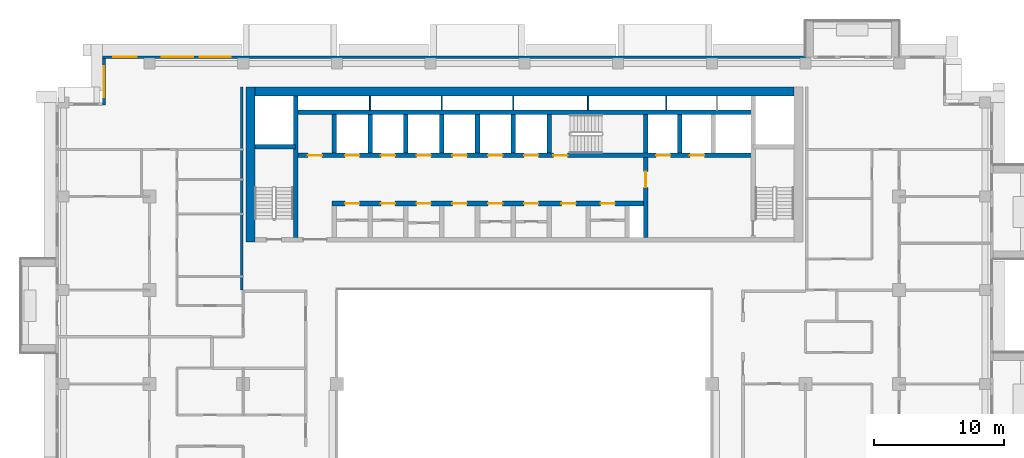
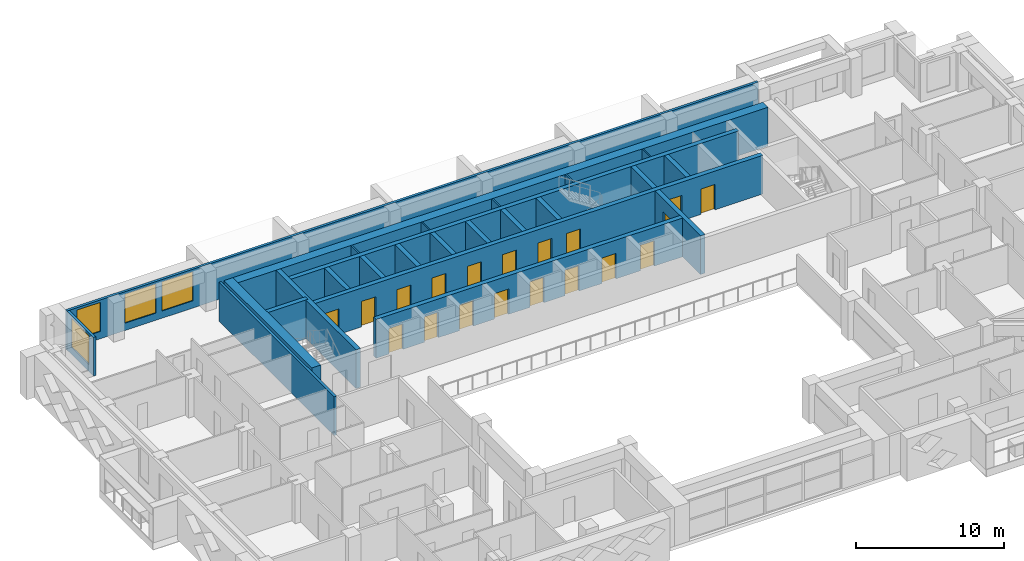
# One storey, part 10 of 19: 25 walls, 19 doors, 4 windows, 23 openings.
"""IFC4 building model written with IfcOpenShell, lengths in metres."""

from ifc_helpers import new_model, si_unit, direction, frame, frame_2d, origin, place, context, subcontext, project, spatial, rectangle, extrude, material, layer, layer_set, type_object, element, fill, save


model = new_model("IFC4")

# Units and contexts
model_context = context("Model", 3, precision=1e-05, world=origin(), true_north=direction((0.0, 1.0)))
body_context = subcontext(model_context, "Body", "Model", "MODEL_VIEW")
ifc_project = project(units=[si_unit("LENGTHUNIT", "METRE"), si_unit("AREAUNIT", "SQUARE_METRE"), si_unit("VOLUMEUNIT", "CUBIC_METRE"), si_unit("PLANEANGLEUNIT", "RADIAN"), si_unit("MASSUNIT", "GRAM", prefix="KILO")], contexts=[model_context])

# Site, building, storey
site_placement = place(None, origin())
site = spatial("IfcSite", under=ifc_project, at=site_placement, CompositionType="ELEMENT")
building_placement = place(site_placement, origin())
building = spatial("IfcBuilding", under=site, at=building_placement, Name="Saffron Iwan Residences", CompositionType="ELEMENT")
storey_placement = place(building_placement, frame((0.0, 0.0, 160.5)))
storey = spatial("IfcBuildingStorey", under=building, at=storey_placement, Name="L42", CompositionType="ELEMENT", Elevation=160.5)

# Wall, openings, windows
ifc_material_1 = material(Name="Concrete C40/50", Category="concrete")
ifc_layer_1 = layer(ifc_material_1, 0.199951171875)
ifc_layer_set_1 = layer_set([ifc_layer_1], Name="Concrete C40/50")
wall_type_1 = type_object("IfcWallType", Name="EXTERNAL WALL 200", PredefinedType="SOLIDWALL", material=ifc_layer_set_1)
wall_1_placement = place(storey_placement, frame((72.0, 80.300048828125, 0.0), z_axis=(0.0, 0.0, 1.0), x_axis=(-1.0, 0.0, 0.0)))
wall_1 = element("IfcWall", 1, at=wall_1_placement, inside=storey, type_object=wall_type_1, Name="External wall L42 F5.2", PredefinedType="SOLIDWALL", context=body_context, shape_type="SweptSolid", body=[
    extrude(rectangle(XDim=54.0, YDim=0.199951171875, at=frame_2d((27.0, 0.0))), origin(), (0.0, 0.0, 1.0), 3.199951171875),
])
opening_1_placement = place(wall_1_placement, frame((44.158203125, 0.0, 0.60009765625)))
opening_1 = element("IfcOpeningElement", 2, at=opening_1_placement, cuts=wall_1, Name="Opening W1", PredefinedType="OPENING", context=body_context, shape_type="SweptSolid", body=[
    extrude(rectangle(XDim=2.39990234375, YDim=2.39990234375, at=frame_2d((1.199951171875, 1.199951171875))), frame((0.0, 0.10986328125, 0.0), z_axis=(0.0, -1.0, 0.0), x_axis=(1.0, 0.0, 0.0)), (0.0, 0.0, 1.0), 0.219970703125),
])
opening_2_placement = place(wall_1_placement, frame((47.041748046875, 0.0, 0.60009765625)))
opening_2 = element("IfcOpeningElement", 3, at=opening_2_placement, cuts=wall_1, Name="Opening W1", PredefinedType="OPENING", context=body_context, shape_type="SweptSolid", body=[
    extrude(rectangle(XDim=2.39990234375, YDim=2.39990234375, at=frame_2d((1.199951171875, 1.199951171875))), frame((0.0, 0.10986328125, 0.0), z_axis=(0.0, -1.0, 0.0), x_axis=(1.0, 0.0, 0.0)), (0.0, 0.0, 1.0), 0.219970703125),
])
opening_3_placement = place(wall_1_placement, frame((51.387451171875, 0.0, 0.60009765625)))
opening_3 = element("IfcOpeningElement", 4, at=opening_3_placement, cuts=wall_1, Name="Opening W8", PredefinedType="OPENING", context=body_context, shape_type="SweptSolid", body=[
    extrude(rectangle(XDim=1.800048828125, YDim=2.39990234375, at=frame_2d((0.89990234375, 1.199951171875))), frame((0.0, 0.10986328125, 0.0), z_axis=(0.0, -1.0, 0.0), x_axis=(1.0, 0.0, 0.0)), (0.0, 0.0, 1.0), 0.219970703125),
])
ifc_material_2 = material(Name="Clear glass, laminated double glazed", Category="glass")
window_type_1 = type_object("IfcWindowType", Name="WINDOW 1800 x 2400", PartitioningType="DOUBLE_PANEL_VERTICAL", PredefinedType="WINDOW", material=ifc_material_2)
window_1_placement = place(opening_3_placement, origin())
window_1 = element("IfcWindow", 5, at=window_1_placement, inside=storey, type_object=window_type_1, Name="Window L42 F5.2", OverallHeight=2.39990234375, OverallWidth=1.800048828125, PartitioningType="DOUBLE_PANEL_VERTICAL", PredefinedType="WINDOW", context=body_context, shape_type="SweptSolid", body=[
    extrude(rectangle(XDim=1.800048828125, YDim=2.39990234375, at=frame_2d((0.89990234375, 1.199951171875))), frame((0.0, 0.030029296875, 0.0), z_axis=(0.0, -1.0, 0.0), x_axis=(1.0, 0.0, 0.0)), (0.0, 0.0, 1.0), 0.06005859375),
])
fill(opening_3, window_1)
window_type_2 = type_object("IfcWindowType", Name="WINDOW 2400 x 2400", PartitioningType="DOUBLE_PANEL_VERTICAL", PredefinedType="WINDOW", material=ifc_material_2)
window_2_placement = place(opening_1_placement, origin())
window_2 = element("IfcWindow", 6, at=window_2_placement, inside=storey, type_object=window_type_2, Name="Window L42 F5.0", OverallHeight=2.39990234375, OverallWidth=2.39990234375, PartitioningType="DOUBLE_PANEL_VERTICAL", PredefinedType="WINDOW", context=body_context, shape_type="SweptSolid", body=[
    extrude(rectangle(XDim=2.39990234375, YDim=2.39990234375, at=frame_2d((1.199951171875, 1.199951171875))), frame((0.0, 0.030029296875, 0.0), z_axis=(0.0, -1.0, 0.0), x_axis=(1.0, 0.0, 0.0)), (0.0, 0.0, 1.0), 0.06005859375),
])
fill(opening_1, window_2)
window_3_placement = place(opening_2_placement, origin())
window_3 = element("IfcWindow", 7, at=window_3_placement, inside=storey, type_object=window_type_2, Name="Window L42 F5.1", OverallHeight=2.39990234375, OverallWidth=2.39990234375, PartitioningType="DOUBLE_PANEL_VERTICAL", PredefinedType="WINDOW", context=body_context, shape_type="SweptSolid", body=[
    extrude(rectangle(XDim=2.39990234375, YDim=2.39990234375, at=frame_2d((1.199951171875, 1.199951171875))), frame((0.0, 0.030029296875, 0.0), z_axis=(0.0, -1.0, 0.0), x_axis=(1.0, 0.0, 0.0)), (0.0, 0.0, 1.0), 0.06005859375),
])
fill(opening_2, window_3)

# Wall, opening, window
wall_2_placement = place(storey_placement, frame((18.10009765625, 80.199951171875, 0.0), z_axis=(0.0, 0.0, 1.0), x_axis=(0.0, -1.0, 0.0)))
wall_2 = element("IfcWall", 8, at=wall_2_placement, inside=storey, type_object=wall_type_1, Name="External wall L42 F6.0", PredefinedType="SOLIDWALL", context=body_context, shape_type="SweptSolid", body=[
    extrude(rectangle(XDim=3.599853515625, YDim=0.199951171875, at=frame_2d((1.7998046875, 0.0))), origin(), (0.0, 0.0, 1.0), 3.199951171875),
])
opening_4_placement = place(wall_2_placement, frame((0.60009765625, 0.0, 0.60009765625)))
opening_4 = element("IfcOpeningElement", 9, at=opening_4_placement, cuts=wall_2, Name="Opening W1", PredefinedType="OPENING", context=body_context, shape_type="SweptSolid", body=[
    extrude(rectangle(XDim=2.39990234375, YDim=2.39990234375, at=frame_2d((1.199951171875, 1.199951171875))), frame((0.0, 0.10986328125, 0.0), z_axis=(0.0, -1.0, 0.0), x_axis=(1.0, 0.0, 0.0)), (0.0, 0.0, 1.0), 0.219970703125),
])
window_4_placement = place(opening_4_placement, origin())
window_4 = element("IfcWindow", 10, at=window_4_placement, inside=storey, type_object=window_type_2, Name="Window L42 F6.0", OverallHeight=2.39990234375, OverallWidth=2.39990234375, PartitioningType="DOUBLE_PANEL_VERTICAL", PredefinedType="WINDOW", context=body_context, shape_type="SweptSolid", body=[
    extrude(rectangle(XDim=2.39990234375, YDim=2.39990234375, at=frame_2d((1.199951171875, 1.199951171875))), frame((0.0, 0.030029296875, 0.0), z_axis=(0.0, -1.0, 0.0), x_axis=(1.0, 0.0, 0.0)), (0.0, 0.0, 1.0), 0.06005859375),
])
fill(opening_4, window_4)

# Walls
ifc_material_3 = material(Name="Fire-rated gypsum board wall")
ifc_layer_2 = layer(ifc_material_3, 0.199951171875)
ifc_layer_set_2 = layer_set([ifc_layer_2], Name="Fire-rated gypsum board wall")
wall_type_2 = type_object("IfcWallType", Name="Gallery wall 200", PredefinedType="SOLIDWALL", material=ifc_layer_set_2)
wall_3_placement = place(storey_placement, frame((28.699951171875, 62.39990234375, 0.0), z_axis=(0.0, 0.0, 1.0), x_axis=(0.0, 1.0, 0.0)))
element("IfcWall", 11, at=wall_3_placement, inside=storey, type_object=wall_type_2, Name="W-L42-CORR-v28.8-62.4", PredefinedType="SOLIDWALL", context=body_context, shape_type="SweptSolid", body=[
    extrude(rectangle(XDim=15.60009765625, YDim=0.199951171875, at=frame_2d((7.800048828125, 0.0))), origin(), (0.0, 0.0, 1.0), 3.199951171875),
])
ifc_material_4 = material(Name="Fire-rated plasterboard partition")
ifc_layer_3 = layer(ifc_material_4, 0.10009765625)
ifc_layer_set_3 = layer_set([ifc_layer_3], Name="Fire-rated plasterboard partition")
wall_type_3 = type_object("IfcWallType", Name="Riser partition 100", PredefinedType="PARTITIONING", material=ifc_layer_set_3)
for number, where, z_axis, x_axis, name in (
    (12, (38.550048828125, 76.22509765625, 0.0), (0.0, 0.0, 1.0), (0.0, 1.0, 0.0), "Core partition P07"),
    (13, (44.050048828125, 76.22509765625, 0.0), (0.0, 0.0, 1.0), (0.0, 1.0, 0.0), "Core partition P08"),
    (14, (49.550048828125, 76.22509765625, 0.0), (0.0, 0.0, 1.0), (0.0, 1.0, 0.0), "Core partition P09"),
    (15, (55.300048828125, 76.22509765625, 0.0), (0.0, 0.0, 1.0), (0.0, 1.0, 0.0), "Core partition P10"),
    (16, (61.300048828125, 76.22509765625, 0.0), (0.0, 0.0, 1.0), (0.0, 1.0, 0.0), "Core partition P11"),
):
    element("IfcWall", number, at=place(storey_placement, frame(where, z_axis=z_axis, x_axis=x_axis)), inside=storey, type_object=wall_type_3, Name=name, PredefinedType="PARTITIONING", context=body_context, shape_type="SweptSolid", body=[
        extrude(rectangle(XDim=1.074951171875, YDim=0.10009765625, at=frame_2d((0.53759765625, 0.0))), origin(), (0.0, 0.0, 1.0), 3.199951171875),
    ])

# Wall, openings, doors
ifc_material_5 = material(Name="Concrete C50/60", Category="concrete")
ifc_layer_4 = layer(ifc_material_5, 0.35009765625)
ifc_layer_set_4 = layer_set([ifc_layer_4], Name="Concrete C50/60")
wall_type_4 = type_object("IfcWallType", Name="WALL CORE 350 C50/60 3200 HIGH", PredefinedType="SHEAR", material=ifc_layer_set_4)
wall_4_placement = place(storey_placement, frame((35.625, 69.050048828125, 0.0), z_axis=(0.0, 0.0, 1.0), x_axis=(1.0, 0.0, 0.0)))
wall_4 = element("IfcWall", 17, at=wall_4_placement, inside=storey, type_object=wall_type_4, Name="Core wall", PredefinedType="SHEAR", context=body_context, shape_type="SweptSolid", body=[
    extrude(rectangle(XDim=24.10009765625, YDim=0.35009765625, at=frame_2d((12.050048828125, 0.0))), origin(), (0.0, 0.0, 1.0), 3.199951171875),
])
opening_5_placement = place(wall_4_placement, frame((1.0, 0.0, 0.0)))
opening_5 = element("IfcOpeningElement", 18, at=opening_5_placement, cuts=wall_4, Name="Opening SR", PredefinedType="OPENING", context=body_context, shape_type="SweptSolid", body=[
    extrude(rectangle(XDim=1.10009765625, YDim=2.10009765625, at=frame_2d((0.550048828125, 1.050048828125))), frame((0.0, 0.18505859375, 0.0), z_axis=(0.0, -1.0, 0.0), x_axis=(1.0, 0.0, 0.0)), (0.0, 0.0, 1.0), 0.3701171875),
])
opening_6_placement = place(wall_4_placement, frame((3.75, 0.0, 0.0)))
opening_6 = element("IfcOpeningElement", 19, at=opening_6_placement, cuts=wall_4, Name="Opening SR", PredefinedType="OPENING", context=body_context, shape_type="SweptSolid", body=[
    extrude(rectangle(XDim=1.10009765625, YDim=2.10009765625, at=frame_2d((0.550048828125, 1.050048828125))), frame((0.0, 0.18505859375, 0.0), z_axis=(0.0, -1.0, 0.0), x_axis=(1.0, 0.0, 0.0)), (0.0, 0.0, 1.0), 0.3701171875),
])
opening_7_placement = place(wall_4_placement, frame((6.5, 0.0, 0.0)))
opening_7 = element("IfcOpeningElement", 20, at=opening_7_placement, cuts=wall_4, Name="Opening SR", PredefinedType="OPENING", context=body_context, shape_type="SweptSolid", body=[
    extrude(rectangle(XDim=1.10009765625, YDim=2.10009765625, at=frame_2d((0.550048828125, 1.050048828125))), frame((0.0, 0.18505859375, 0.0), z_axis=(0.0, -1.0, 0.0), x_axis=(1.0, 0.0, 0.0)), (0.0, 0.0, 1.0), 0.3701171875),
])
opening_8_placement = place(wall_4_placement, frame((9.25, 0.0, 0.0)))
opening_8 = element("IfcOpeningElement", 21, at=opening_8_placement, cuts=wall_4, Name="Opening SR", PredefinedType="OPENING", context=body_context, shape_type="SweptSolid", body=[
    extrude(rectangle(XDim=1.10009765625, YDim=2.10009765625, at=frame_2d((0.550048828125, 1.050048828125))), frame((0.0, 0.18505859375, 0.0), z_axis=(0.0, -1.0, 0.0), x_axis=(1.0, 0.0, 0.0)), (0.0, 0.0, 1.0), 0.3701171875),
])
opening_9_placement = place(wall_4_placement, frame((12.0, 0.0, 0.0)))
opening_9 = element("IfcOpeningElement", 22, at=opening_9_placement, cuts=wall_4, Name="Opening SR", PredefinedType="OPENING", context=body_context, shape_type="SweptSolid", body=[
    extrude(rectangle(XDim=1.10009765625, YDim=2.10009765625, at=frame_2d((0.550048828125, 1.050048828125))), frame((0.0, 0.18505859375, 0.0), z_axis=(0.0, -1.0, 0.0), x_axis=(1.0, 0.0, 0.0)), (0.0, 0.0, 1.0), 0.3701171875),
])
opening_10_placement = place(wall_4_placement, frame((14.75, 0.0, 0.0)))
opening_10 = element("IfcOpeningElement", 23, at=opening_10_placement, cuts=wall_4, Name="Opening SR", PredefinedType="OPENING", context=body_context, shape_type="SweptSolid", body=[
    extrude(rectangle(XDim=1.10009765625, YDim=2.10009765625, at=frame_2d((0.550048828125, 1.050048828125))), frame((0.0, 0.18505859375, 0.0), z_axis=(0.0, -1.0, 0.0), x_axis=(1.0, 0.0, 0.0)), (0.0, 0.0, 1.0), 0.3701171875),
])
opening_11_placement = place(wall_4_placement, frame((17.625, 0.0, 0.0)))
opening_11 = element("IfcOpeningElement", 24, at=opening_11_placement, cuts=wall_4, Name="Opening SR", PredefinedType="OPENING", context=body_context, shape_type="SweptSolid", body=[
    extrude(rectangle(XDim=1.10009765625, YDim=2.10009765625, at=frame_2d((0.550048828125, 1.050048828125))), frame((0.0, 0.18505859375, 0.0), z_axis=(0.0, -1.0, 0.0), x_axis=(1.0, 0.0, 0.0)), (0.0, 0.0, 1.0), 0.3701171875),
])
opening_12_placement = place(wall_4_placement, frame((20.625, 0.0, 0.0)))
opening_12 = element("IfcOpeningElement", 25, at=opening_12_placement, cuts=wall_4, Name="Opening SR", PredefinedType="OPENING", context=body_context, shape_type="SweptSolid", body=[
    extrude(rectangle(XDim=1.10009765625, YDim=2.10009765625, at=frame_2d((0.550048828125, 1.050048828125))), frame((0.0, 0.18505859375, 0.0), z_axis=(0.0, -1.0, 0.0), x_axis=(1.0, 0.0, 0.0)), (0.0, 0.0, 1.0), 0.3701171875),
])
ifc_material_6 = material(Name="Steel fire door", Category="steel")
door_type_1 = type_object("IfcDoorType", Name="Service door 1100", OperationType="NOTDEFINED", PredefinedType="DOOR", material=ifc_material_6)
door_1_placement = place(opening_5_placement, origin())
door_1 = element("IfcDoor", 26, at=door_1_placement, inside=storey, type_object=door_type_1, Name="Door Maintenance store", OperationType="SINGLE_SWING_RIGHT", OverallHeight=2.10009765625, OverallWidth=1.10009765625, PredefinedType="DOOR", context=body_context, shape_type="SweptSolid", body=[
    extrude(rectangle(XDim=1.10009765625, YDim=2.10009765625, at=frame_2d((0.550048828125, 1.050048828125))), frame((0.0, 0.02490234375, 0.0), z_axis=(0.0, -1.0, 0.0), x_axis=(1.0, 0.0, 0.0)), (0.0, 0.0, 1.0), 0.050048828125),
])
fill(opening_5, door_1)
door_2_placement = place(opening_6_placement, origin())
door_2 = element("IfcDoor", 27, at=door_2_placement, inside=storey, type_object=door_type_1, Name="Door Linen store", OperationType="SINGLE_SWING_LEFT", OverallHeight=2.10009765625, OverallWidth=1.10009765625, PredefinedType="DOOR", context=body_context, shape_type="SweptSolid", body=[
    extrude(rectangle(XDim=1.10009765625, YDim=2.10009765625, at=frame_2d((0.550048828125, 1.050048828125))), frame((0.0, 0.02490234375, 0.0), z_axis=(0.0, -1.0, 0.0), x_axis=(1.0, 0.0, 0.0)), (0.0, 0.0, 1.0), 0.050048828125),
])
fill(opening_6, door_2)
door_3_placement = place(opening_7_placement, origin())
door_3 = element("IfcDoor", 28, at=door_3_placement, inside=storey, type_object=door_type_1, Name="Door Pantry", OperationType="SINGLE_SWING_RIGHT", OverallHeight=2.10009765625, OverallWidth=1.10009765625, PredefinedType="DOOR", context=body_context, shape_type="SweptSolid", body=[
    extrude(rectangle(XDim=1.10009765625, YDim=2.10009765625, at=frame_2d((0.550048828125, 1.050048828125))), frame((0.0, 0.02490234375, 0.0), z_axis=(0.0, -1.0, 0.0), x_axis=(1.0, 0.0, 0.0)), (0.0, 0.0, 1.0), 0.050048828125),
])
fill(opening_7, door_3)
door_4_placement = place(opening_8_placement, origin())
door_4 = element("IfcDoor", 29, at=door_4_placement, inside=storey, type_object=door_type_1, Name="Door Electrical room", OperationType="SINGLE_SWING_LEFT", OverallHeight=2.10009765625, OverallWidth=1.10009765625, PredefinedType="DOOR", context=body_context, shape_type="SweptSolid", body=[
    extrude(rectangle(XDim=1.10009765625, YDim=2.10009765625, at=frame_2d((0.550048828125, 1.050048828125))), frame((0.0, 0.02490234375, 0.0), z_axis=(0.0, -1.0, 0.0), x_axis=(1.0, 0.0, 0.0)), (0.0, 0.0, 1.0), 0.050048828125),
])
fill(opening_8, door_4)
door_5_placement = place(opening_9_placement, origin())
door_5 = element("IfcDoor", 30, at=door_5_placement, inside=storey, type_object=door_type_1, Name="Door Luggage store", OperationType="SINGLE_SWING_RIGHT", OverallHeight=2.10009765625, OverallWidth=1.10009765625, PredefinedType="DOOR", context=body_context, shape_type="SweptSolid", body=[
    extrude(rectangle(XDim=1.10009765625, YDim=2.10009765625, at=frame_2d((0.550048828125, 1.050048828125))), frame((0.0, 0.02490234375, 0.0), z_axis=(0.0, -1.0, 0.0), x_axis=(1.0, 0.0, 0.0)), (0.0, 0.0, 1.0), 0.050048828125),
])
fill(opening_9, door_5)
door_6_placement = place(opening_10_placement, origin())
door_6 = element("IfcDoor", 31, at=door_6_placement, inside=storey, type_object=door_type_1, Name="Door Refuse store", OperationType="SINGLE_SWING_LEFT", OverallHeight=2.10009765625, OverallWidth=1.10009765625, PredefinedType="DOOR", context=body_context, shape_type="SweptSolid", body=[
    extrude(rectangle(XDim=1.10009765625, YDim=2.10009765625, at=frame_2d((0.550048828125, 1.050048828125))), frame((0.0, 0.02490234375, 0.0), z_axis=(0.0, -1.0, 0.0), x_axis=(1.0, 0.0, 0.0)), (0.0, 0.0, 1.0), 0.050048828125),
])
fill(opening_10, door_6)
door_7_placement = place(opening_11_placement, origin())
door_7 = element("IfcDoor", 32, at=door_7_placement, inside=storey, type_object=door_type_1, Name="Door Housekeeping store", OperationType="SINGLE_SWING_RIGHT", OverallHeight=2.10009765625, OverallWidth=1.10009765625, PredefinedType="DOOR", context=body_context, shape_type="SweptSolid", body=[
    extrude(rectangle(XDim=1.10009765625, YDim=2.10009765625, at=frame_2d((0.550048828125, 1.050048828125))), frame((0.0, 0.02490234375, 0.0), z_axis=(0.0, -1.0, 0.0), x_axis=(1.0, 0.0, 0.0)), (0.0, 0.0, 1.0), 0.050048828125),
])
fill(opening_11, door_7)
door_8_placement = place(opening_12_placement, origin())
door_8 = element("IfcDoor", 33, at=door_8_placement, inside=storey, type_object=door_type_1, Name="Door Cleaner's store", OperationType="SINGLE_SWING_RIGHT", OverallHeight=2.10009765625, OverallWidth=1.10009765625, PredefinedType="DOOR", context=body_context, shape_type="SweptSolid", body=[
    extrude(rectangle(XDim=1.10009765625, YDim=2.10009765625, at=frame_2d((0.550048828125, 1.050048828125))), frame((0.0, 0.02490234375, 0.0), z_axis=(0.0, -1.0, 0.0), x_axis=(1.0, 0.0, 0.0)), (0.0, 0.0, 1.0), 0.050048828125),
])
fill(opening_12, door_8)

wall_5_placement = place(storey_placement, frame((32.824951171875, 72.75, 0.0), z_axis=(0.0, 0.0, 1.0), x_axis=(1.0, 0.0, 0.0)))
wall_5 = element("IfcWall", 34, at=wall_5_placement, inside=storey, type_object=wall_type_4, Name="Core wall", PredefinedType="SHEAR", context=body_context, shape_type="SweptSolid", body=[
    extrude(rectangle(XDim=35.150146484375, YDim=0.35009765625, at=frame_2d((17.5751953125, 0.0))), origin(), (0.0, 0.0, 1.0), 3.199951171875),
])
opening_13_placement = place(wall_5_placement, frame((19.800048828125, 0.0, 0.0)))
opening_13 = element("IfcOpeningElement", 35, at=opening_13_placement, cuts=wall_5, Name="Opening SD", PredefinedType="OPENING", context=body_context, shape_type="SweptSolid", body=[
    extrude(rectangle(XDim=1.10009765625, YDim=2.10009765625, at=frame_2d((0.550048828125, 1.050048828125))), frame((0.0, 0.18505859375, 0.0), z_axis=(0.0, -1.0, 0.0), x_axis=(1.0, 0.0, 0.0)), (0.0, 0.0, 1.0), 0.3701171875),
])
opening_14_placement = place(wall_5_placement, frame((27.699951171875, 0.0, 0.0)))
opening_14 = element("IfcOpeningElement", 36, at=opening_14_placement, cuts=wall_5, Name="Opening LD", PredefinedType="OPENING", context=body_context, shape_type="SweptSolid", body=[
    extrude(rectangle(XDim=1.10009765625, YDim=2.10009765625, at=frame_2d((0.550048828125, 1.050048828125))), frame((0.0, 0.18505859375, 0.0), z_axis=(0.0, -1.0, 0.0), x_axis=(1.0, 0.0, 0.0)), (0.0, 0.0, 1.0), 0.3701171875),
])
opening_15_placement = place(wall_5_placement, frame((30.300048828125, 0.0, 0.0)))
opening_15 = element("IfcOpeningElement", 37, at=opening_15_placement, cuts=wall_5, Name="Opening LD", PredefinedType="OPENING", context=body_context, shape_type="SweptSolid", body=[
    extrude(rectangle(XDim=1.10009765625, YDim=2.10009765625, at=frame_2d((0.550048828125, 1.050048828125))), frame((0.0, 0.18505859375, 0.0), z_axis=(0.0, -1.0, 0.0), x_axis=(1.0, 0.0, 0.0)), (0.0, 0.0, 1.0), 0.3701171875),
])
opening_16_placement = place(wall_5_placement, frame((3.800048828125, 0.0, 0.0)))
opening_16 = element("IfcOpeningElement", 38, at=opening_16_placement, cuts=wall_5, Name="Opening LD", PredefinedType="OPENING", context=body_context, shape_type="SweptSolid", body=[
    extrude(rectangle(XDim=1.10009765625, YDim=2.10009765625, at=frame_2d((0.550048828125, 1.050048828125))), frame((0.0, 0.18505859375, 0.0), z_axis=(0.0, -1.0, 0.0), x_axis=(1.0, 0.0, 0.0)), (0.0, 0.0, 1.0), 0.3701171875),
])
opening_17_placement = place(wall_5_placement, frame((6.550048828125, 0.0, 0.0)))
opening_17 = element("IfcOpeningElement", 39, at=opening_17_placement, cuts=wall_5, Name="Opening LD", PredefinedType="OPENING", context=body_context, shape_type="SweptSolid", body=[
    extrude(rectangle(XDim=1.10009765625, YDim=2.10009765625, at=frame_2d((0.550048828125, 1.050048828125))), frame((0.0, 0.18505859375, 0.0), z_axis=(0.0, -1.0, 0.0), x_axis=(1.0, 0.0, 0.0)), (0.0, 0.0, 1.0), 0.3701171875),
])
opening_18_placement = place(wall_5_placement, frame((9.300048828125, 0.0, 0.0)))
opening_18 = element("IfcOpeningElement", 40, at=opening_18_placement, cuts=wall_5, Name="Opening LD", PredefinedType="OPENING", context=body_context, shape_type="SweptSolid", body=[
    extrude(rectangle(XDim=1.10009765625, YDim=2.10009765625, at=frame_2d((0.550048828125, 1.050048828125))), frame((0.0, 0.18505859375, 0.0), z_axis=(0.0, -1.0, 0.0), x_axis=(1.0, 0.0, 0.0)), (0.0, 0.0, 1.0), 0.3701171875),
])
opening_19_placement = place(wall_5_placement, frame((12.050048828125, 0.0, 0.0)))
opening_19 = element("IfcOpeningElement", 41, at=opening_19_placement, cuts=wall_5, Name="Opening LD", PredefinedType="OPENING", context=body_context, shape_type="SweptSolid", body=[
    extrude(rectangle(XDim=1.10009765625, YDim=2.10009765625, at=frame_2d((0.550048828125, 1.050048828125))), frame((0.0, 0.18505859375, 0.0), z_axis=(0.0, -1.0, 0.0), x_axis=(1.0, 0.0, 0.0)), (0.0, 0.0, 1.0), 0.3701171875),
])
opening_20_placement = place(wall_5_placement, frame((14.800048828125, 0.0, 0.0)))
opening_20 = element("IfcOpeningElement", 42, at=opening_20_placement, cuts=wall_5, Name="Opening LD", PredefinedType="OPENING", context=body_context, shape_type="SweptSolid", body=[
    extrude(rectangle(XDim=1.10009765625, YDim=2.10009765625, at=frame_2d((0.550048828125, 1.050048828125))), frame((0.0, 0.18505859375, 0.0), z_axis=(0.0, -1.0, 0.0), x_axis=(1.0, 0.0, 0.0)), (0.0, 0.0, 1.0), 0.3701171875),
])
opening_21_placement = place(wall_5_placement, frame((17.550048828125, 0.0, 0.0)))
opening_21 = element("IfcOpeningElement", 43, at=opening_21_placement, cuts=wall_5, Name="Opening LD", PredefinedType="OPENING", context=body_context, shape_type="SweptSolid", body=[
    extrude(rectangle(XDim=1.10009765625, YDim=2.10009765625, at=frame_2d((0.550048828125, 1.050048828125))), frame((0.0, 0.18505859375, 0.0), z_axis=(0.0, -1.0, 0.0), x_axis=(1.0, 0.0, 0.0)), (0.0, 0.0, 1.0), 0.3701171875),
])
opening_22_placement = place(wall_5_placement, frame((0.9375, 0.0, 0.0)))
opening_22 = element("IfcOpeningElement", 44, at=opening_22_placement, cuts=wall_5, Name="Opening SR", PredefinedType="OPENING", context=body_context, shape_type="SweptSolid", body=[
    extrude(rectangle(XDim=1.10009765625, YDim=2.10009765625, at=frame_2d((0.550048828125, 1.050048828125))), frame((0.0, 0.18505859375, 0.0), z_axis=(0.0, -1.0, 0.0), x_axis=(1.0, 0.0, 0.0)), (0.0, 0.0, 1.0), 0.3701171875),
])
door_type_2 = type_object("IfcDoorType", Name="Lift landing door 1100", OperationType="SLIDING_TO_LEFT", PredefinedType="DOOR", material=ifc_material_6)
door_9_placement = place(opening_14_placement, origin())
door_9 = element("IfcDoor", 45, at=door_9_placement, inside=storey, type_object=door_type_2, Name="Landing doors FF1", OperationType="SLIDING_TO_LEFT", OverallHeight=2.10009765625, OverallWidth=1.10009765625, PredefinedType="DOOR", context=body_context, shape_type="SweptSolid", body=[
    extrude(rectangle(XDim=1.10009765625, YDim=2.10009765625, at=frame_2d((0.550048828125, 1.050048828125))), frame((0.0, 0.02490234375, 0.0), z_axis=(0.0, -1.0, 0.0), x_axis=(1.0, 0.0, 0.0)), (0.0, 0.0, 1.0), 0.050048828125),
])
fill(opening_14, door_9)
door_10_placement = place(opening_15_placement, origin())
door_10 = element("IfcDoor", 46, at=door_10_placement, inside=storey, type_object=door_type_2, Name="Landing doors FF2", OperationType="SLIDING_TO_LEFT", OverallHeight=2.10009765625, OverallWidth=1.10009765625, PredefinedType="DOOR", context=body_context, shape_type="SweptSolid", body=[
    extrude(rectangle(XDim=1.10009765625, YDim=2.10009765625, at=frame_2d((0.550048828125, 1.050048828125))), frame((0.0, 0.02490234375, 0.0), z_axis=(0.0, -1.0, 0.0), x_axis=(1.0, 0.0, 0.0)), (0.0, 0.0, 1.0), 0.050048828125),
])
fill(opening_15, door_10)
door_11_placement = place(opening_16_placement, origin())
door_11 = element("IfcDoor", 47, at=door_11_placement, inside=storey, type_object=door_type_2, Name="Landing doors HR1", OperationType="SLIDING_TO_LEFT", OverallHeight=2.10009765625, OverallWidth=1.10009765625, PredefinedType="DOOR", context=body_context, shape_type="SweptSolid", body=[
    extrude(rectangle(XDim=1.10009765625, YDim=2.10009765625, at=frame_2d((0.550048828125, 1.050048828125))), frame((0.0, 0.02490234375, 0.0), z_axis=(0.0, -1.0, 0.0), x_axis=(1.0, 0.0, 0.0)), (0.0, 0.0, 1.0), 0.050048828125),
])
fill(opening_16, door_11)
door_12_placement = place(opening_17_placement, origin())
door_12 = element("IfcDoor", 48, at=door_12_placement, inside=storey, type_object=door_type_2, Name="Landing doors HR2", OperationType="SLIDING_TO_LEFT", OverallHeight=2.10009765625, OverallWidth=1.10009765625, PredefinedType="DOOR", context=body_context, shape_type="SweptSolid", body=[
    extrude(rectangle(XDim=1.10009765625, YDim=2.10009765625, at=frame_2d((0.550048828125, 1.050048828125))), frame((0.0, 0.02490234375, 0.0), z_axis=(0.0, -1.0, 0.0), x_axis=(1.0, 0.0, 0.0)), (0.0, 0.0, 1.0), 0.050048828125),
])
fill(opening_17, door_12)
door_13_placement = place(opening_18_placement, origin())
door_13 = element("IfcDoor", 49, at=door_13_placement, inside=storey, type_object=door_type_2, Name="Landing doors HR3", OperationType="SLIDING_TO_LEFT", OverallHeight=2.10009765625, OverallWidth=1.10009765625, PredefinedType="DOOR", context=body_context, shape_type="SweptSolid", body=[
    extrude(rectangle(XDim=1.10009765625, YDim=2.10009765625, at=frame_2d((0.550048828125, 1.050048828125))), frame((0.0, 0.02490234375, 0.0), z_axis=(0.0, -1.0, 0.0), x_axis=(1.0, 0.0, 0.0)), (0.0, 0.0, 1.0), 0.050048828125),
])
fill(opening_18, door_13)
door_14_placement = place(opening_19_placement, origin())
door_14 = element("IfcDoor", 50, at=door_14_placement, inside=storey, type_object=door_type_2, Name="Landing doors HR4", OperationType="SLIDING_TO_LEFT", OverallHeight=2.10009765625, OverallWidth=1.10009765625, PredefinedType="DOOR", context=body_context, shape_type="SweptSolid", body=[
    extrude(rectangle(XDim=1.10009765625, YDim=2.10009765625, at=frame_2d((0.550048828125, 1.050048828125))), frame((0.0, 0.02490234375, 0.0), z_axis=(0.0, -1.0, 0.0), x_axis=(1.0, 0.0, 0.0)), (0.0, 0.0, 1.0), 0.050048828125),
])
fill(opening_19, door_14)
door_15_placement = place(opening_20_placement, origin())
door_15 = element("IfcDoor", 51, at=door_15_placement, inside=storey, type_object=door_type_2, Name="Landing doors HR5", OperationType="SLIDING_TO_LEFT", OverallHeight=2.10009765625, OverallWidth=1.10009765625, PredefinedType="DOOR", context=body_context, shape_type="SweptSolid", body=[
    extrude(rectangle(XDim=1.10009765625, YDim=2.10009765625, at=frame_2d((0.550048828125, 1.050048828125))), frame((0.0, 0.02490234375, 0.0), z_axis=(0.0, -1.0, 0.0), x_axis=(1.0, 0.0, 0.0)), (0.0, 0.0, 1.0), 0.050048828125),
])
fill(opening_20, door_15)
door_16_placement = place(opening_21_placement, origin())
door_16 = element("IfcDoor", 52, at=door_16_placement, inside=storey, type_object=door_type_2, Name="Landing doors HR6", OperationType="SLIDING_TO_LEFT", OverallHeight=2.10009765625, OverallWidth=1.10009765625, PredefinedType="DOOR", context=body_context, shape_type="SweptSolid", body=[
    extrude(rectangle(XDim=1.10009765625, YDim=2.10009765625, at=frame_2d((0.550048828125, 1.050048828125))), frame((0.0, 0.02490234375, 0.0), z_axis=(0.0, -1.0, 0.0), x_axis=(1.0, 0.0, 0.0)), (0.0, 0.0, 1.0), 0.050048828125),
])
fill(opening_21, door_16)
door_17_placement = place(opening_22_placement, origin())
door_17 = element("IfcDoor", 53, at=door_17_placement, inside=storey, type_object=door_type_1, Name="Door Service room", OperationType="SINGLE_SWING_LEFT", OverallHeight=2.10009765625, OverallWidth=1.10009765625, PredefinedType="DOOR", context=body_context, shape_type="SweptSolid", body=[
    extrude(rectangle(XDim=1.10009765625, YDim=2.10009765625, at=frame_2d((0.550048828125, 1.050048828125))), frame((0.0, 0.02490234375, 0.0), z_axis=(0.0, -1.0, 0.0), x_axis=(1.0, 0.0, 0.0)), (0.0, 0.0, 1.0), 0.050048828125),
])
fill(opening_22, door_17)
door_type_3 = type_object("IfcDoorType", Name="Stair door 1100", OperationType="NOTDEFINED", PredefinedType="DOOR", material=ifc_material_6)
door_18_placement = place(opening_13_placement, origin())
door_18 = element("IfcDoor", 54, at=door_18_placement, inside=storey, type_object=door_type_3, Name="Stair door ST-C", OperationType="SINGLE_SWING_LEFT", OverallHeight=2.10009765625, OverallWidth=1.10009765625, PredefinedType="DOOR", context=body_context, shape_type="SweptSolid", body=[
    extrude(rectangle(XDim=1.10009765625, YDim=2.10009765625, at=frame_2d((0.550048828125, 1.050048828125))), frame((0.0, 0.02490234375, 0.0), z_axis=(0.0, -1.0, 0.0), x_axis=(1.0, 0.0, 0.0)), (0.0, 0.0, 1.0), 0.050048828125),
])
fill(opening_13, door_18)

# Walls
wall_6_placement = place(storey_placement, frame((32.824951171875, 76.050048828125, 0.0), z_axis=(0.0, 0.0, 1.0), x_axis=(1.0, 0.0, 0.0)))
element("IfcWall", 55, at=wall_6_placement, inside=storey, type_object=wall_type_4, Name="Core wall", PredefinedType="SHEAR", context=body_context, shape_type="SweptSolid", body=[
    extrude(rectangle(XDim=35.150146484375, YDim=0.35009765625, at=frame_2d((17.5751953125, 0.0))), origin(), (0.0, 0.0, 1.0), 3.199951171875),
])
wall_7_placement = place(storey_placement, frame((29.699951171875, 73.425048828125, 0.0), z_axis=(0.0, 0.0, 1.0), x_axis=(1.0, 0.0, 0.0)))
element("IfcWall", 56, at=wall_7_placement, inside=storey, type_object=wall_type_4, Name="Core wall", PredefinedType="SHEAR", context=body_context, shape_type="SweptSolid", body=[
    extrude(rectangle(XDim=3.125, YDim=0.35009765625, at=frame_2d((1.5625, 0.0))), origin(), (0.0, 0.0, 1.0), 3.199951171875),
])
wall_8_placement = place(storey_placement, frame((32.824951171875, 66.449951171875, 0.0), z_axis=(0.0, 0.0, 1.0), x_axis=(0.0, 1.0, 0.0)))
element("IfcWall", 57, at=wall_8_placement, inside=storey, type_object=wall_type_4, Name="Core wall", PredefinedType="SHEAR", context=body_context, shape_type="SweptSolid", body=[
    extrude(rectangle(XDim=10.85009765625, YDim=0.35009765625, at=frame_2d((5.425048828125, 0.0))), origin(), (0.0, 0.0, 1.0), 3.199951171875),
])

# Wall, opening, door
wall_9_placement = place(storey_placement, frame((59.72509765625, 66.449951171875, 0.0), z_axis=(0.0, 0.0, 1.0), x_axis=(0.0, 1.0, 0.0)))
wall_9 = element("IfcWall", 58, at=wall_9_placement, inside=storey, type_object=wall_type_4, Name="Core wall", PredefinedType="SHEAR", context=body_context, shape_type="SweptSolid", body=[
    extrude(rectangle(XDim=6.125, YDim=0.35009765625, at=frame_2d((3.0625, 0.0))), origin(), (0.0, 0.0, 1.0), 3.199951171875),
])
opening_23_placement = place(wall_9_placement, frame((3.85009765625, 0.0, 0.0)))
opening_23 = element("IfcOpeningElement", 59, at=opening_23_placement, cuts=wall_9, Name="Opening FD", PredefinedType="OPENING", context=body_context, shape_type="SweptSolid", body=[
    extrude(rectangle(XDim=1.199951171875, YDim=2.10009765625, at=frame_2d((0.60009765625, 1.050048828125))), frame((0.0, 0.18505859375, 0.0), z_axis=(0.0, -1.0, 0.0), x_axis=(1.0, 0.0, 0.0)), (0.0, 0.0, 1.0), 0.3701171875),
])
door_type_4 = type_object("IfcDoorType", Name="Firefighting lobby door 1200", OperationType="NOTDEFINED", PredefinedType="DOOR", material=ifc_material_6)
door_19_placement = place(opening_23_placement, origin())
door_19 = element("IfcDoor", 60, at=door_19_placement, inside=storey, type_object=door_type_4, Name="Firefighting lobby door", OperationType="SINGLE_SWING_LEFT", OverallHeight=2.10009765625, OverallWidth=1.199951171875, PredefinedType="DOOR", context=body_context, shape_type="SweptSolid", body=[
    extrude(rectangle(XDim=1.199951171875, YDim=2.10009765625, at=frame_2d((0.60009765625, 1.050048828125))), frame((0.0, 0.02490234375, 0.0), z_axis=(0.0, -1.0, 0.0), x_axis=(1.0, 0.0, 0.0)), (0.0, 0.0, 1.0), 0.050048828125),
])
fill(opening_23, door_19)

# Walls
for number, where, z_axis, x_axis, name in (
    (61, (59.72509765625, 72.925048828125, 0.0), (0.0, 0.0, 1.0), (0.0, 1.0, 0.0), "Core wall"),
    (62, (35.800048828125, 72.925048828125, 0.0), (0.0, 0.0, 1.0), (0.0, 1.0, 0.0), "Core wall"),
    (63, (38.550048828125, 72.925048828125, 0.0), (0.0, 0.0, 1.0), (0.0, 1.0, 0.0), "Core wall"),
    (64, (41.300048828125, 72.925048828125, 0.0), (0.0, 0.0, 1.0), (0.0, 1.0, 0.0), "Core wall"),
    (65, (44.050048828125, 72.925048828125, 0.0), (0.0, 0.0, 1.0), (0.0, 1.0, 0.0), "Core wall"),
    (66, (46.800048828125, 72.925048828125, 0.0), (0.0, 0.0, 1.0), (0.0, 1.0, 0.0), "Core wall"),
    (67, (49.550048828125, 72.925048828125, 0.0), (0.0, 0.0, 1.0), (0.0, 1.0, 0.0), "Core wall"),
    (68, (52.300048828125, 72.925048828125, 0.0), (0.0, 0.0, 1.0), (0.0, 1.0, 0.0), "Core wall"),
    (69, (62.324951171875, 72.925048828125, 0.0), (0.0, 0.0, 1.0), (0.0, 1.0, 0.0), "Core wall"),
):
    element("IfcWall", number, at=place(storey_placement, frame(where, z_axis=z_axis, x_axis=x_axis)), inside=storey, type_object=wall_type_4, Name=name, PredefinedType="SHEAR", context=body_context, shape_type="SweptSolid", body=[
        extrude(rectangle(XDim=2.949951171875, YDim=0.35009765625, at=frame_2d((1.47509765625, 0.0))), origin(), (0.0, 0.0, 1.0), 3.199951171875),
    ])
ifc_layer_5 = layer(ifc_material_5, 0.699951171875)
ifc_layer_set_5 = layer_set([ifc_layer_5], Name="Concrete C50/60")
wall_type_5 = type_object("IfcWallType", Name="WALL CORE 700 C50/60 3200 HIGH", PredefinedType="SHEAR", material=ifc_layer_set_5)
wall_10_placement = place(storey_placement, frame((29.35009765625, 66.10009765625, 0.0), z_axis=(0.0, 0.0, 1.0), x_axis=(0.0, 1.0, 0.0)))
element("IfcWall", 70, at=wall_10_placement, inside=storey, type_object=wall_type_5, Name="Core wall", PredefinedType="SHEAR", context=body_context, shape_type="SweptSolid", body=[
    extrude(rectangle(XDim=11.89990234375, YDim=0.699951171875, at=frame_2d((5.949951171875, 0.0))), origin(), (0.0, 0.0, 1.0), 3.199951171875),
])
wall_11_placement = place(storey_placement, frame((29.699951171875, 77.64990234375, 0.0), z_axis=(0.0, 0.0, 1.0), x_axis=(1.0, 0.0, 0.0)))
element("IfcWall", 71, at=wall_11_placement, inside=storey, type_object=wall_type_5, Name="Core wall", PredefinedType="SHEAR", context=body_context, shape_type="SweptSolid", body=[
    extrude(rectangle(XDim=41.400146484375, YDim=0.699951171875, at=frame_2d((20.7001953125, 0.0))), origin(), (0.0, 0.0, 1.0), 3.199951171875),
])

save(model, "model.ifc")
